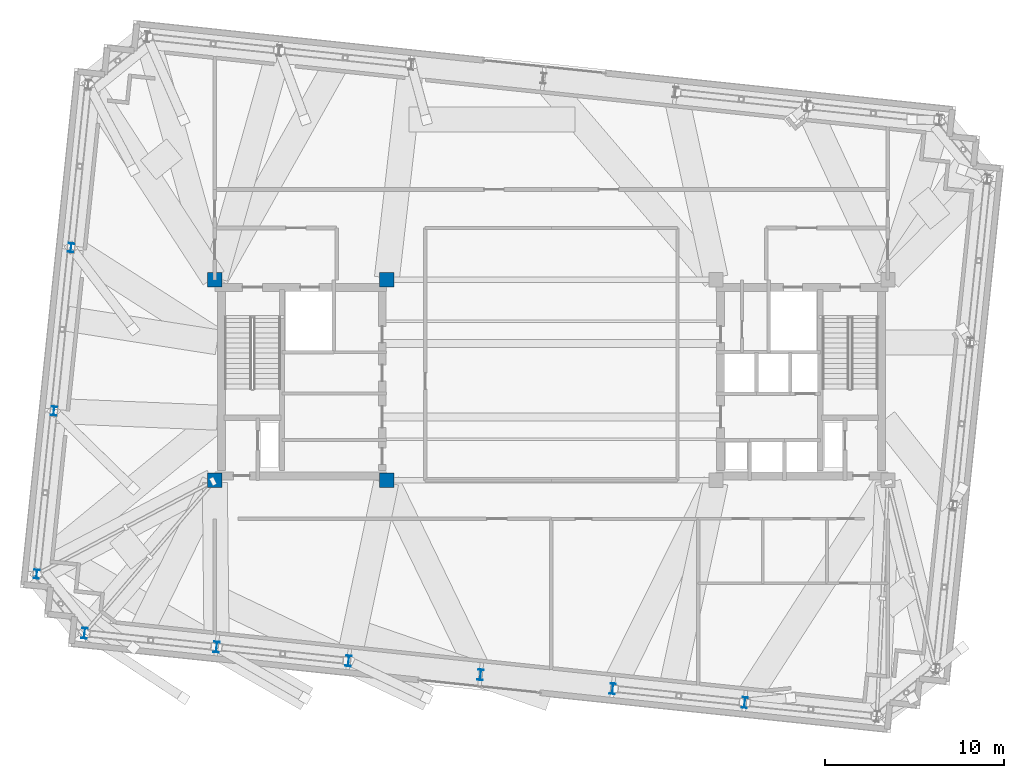
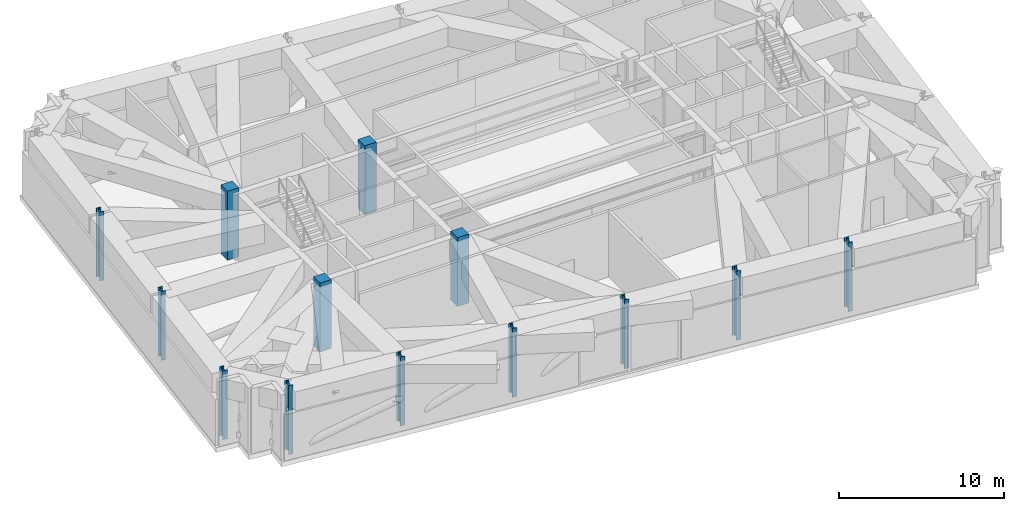
# One storey, part 1 of 21: 13 columns.
"""IFC4 building model written with IfcOpenShell, lengths in metres."""

from ifc_helpers import new_model, si_unit, direction, frame, origin, origin_2d, place, context, subcontext, project, spatial, rectangle, i_section, extrude, material, material_profile, profile_set, type_object, element, save


model = new_model("IFC4")

# Units and contexts
model_context = context("Model", 3, precision=1e-05, world=origin(), true_north=direction((0.0, 1.0)))
body_context = subcontext(model_context, "Body", "Model", "MODEL_VIEW")
ifc_project = project(units=[si_unit("LENGTHUNIT", "METRE"), si_unit("AREAUNIT", "SQUARE_METRE"), si_unit("VOLUMEUNIT", "CUBIC_METRE"), si_unit("PLANEANGLEUNIT", "RADIAN"), si_unit("MASSUNIT", "GRAM", prefix="KILO")], contexts=[model_context])

# Site, building, storey
site_placement = place(None, origin())
site = spatial("IfcSite", under=ifc_project, at=site_placement, CompositionType="ELEMENT")
building_placement = place(site_placement, origin())
building = spatial("IfcBuilding", under=site, at=building_placement, Name="Qobustan Lattice House", CompositionType="ELEMENT")
storey_placement = place(building_placement, frame((0.0, 0.0, 223.199951171875)))
storey = spatial("IfcBuildingStorey", under=building, at=storey_placement, Name="L63", CompositionType="ELEMENT", Elevation=223.199951171875)

# Columns
ifc_material_1 = material(Name="Concrete C50/60", Category="concrete")
ifc_material_profile_1 = material_profile(ifc_material_1, rectangle(XDim=0.800048828125, YDim=0.800048828125, at=origin_2d()), Name="RC800x800")
ifc_profile_set_1 = profile_set([ifc_material_profile_1], Name="Concrete C50/60")
column_type_1 = type_object("IfcColumnType", Name="COL-RC-800", PredefinedType="COLUMN", material=ifc_profile_set_1)
for number, where, z_axis, x_axis, name in (
    (1, (-18.800048828125, -5.60009765625, 0.0), (0.0, 0.0, 1.0), (1.0, 0.0, 0.0), "L63 core mega-column CW-SW"),
    (2, (-18.800048828125, 5.60009765625, 0.0), (0.0, 0.0, 1.0), (1.0, 0.0, 0.0), "L63 core mega-column CW-NW"),
    (3, (-9.199951171875, -5.60009765625, 0.0), (0.0, 0.0, 1.0), (1.0, 0.0, 0.0), "L63 core mega-column CW-SE"),
    (4, (-9.199951171875, 5.60009765625, 0.0), (0.0, 0.0, 1.0), (1.0, 0.0, 0.0), "L63 core mega-column CW-NE"),
):
    element("IfcColumn", number, at=place(storey_placement, frame(where, z_axis=z_axis, x_axis=x_axis)), inside=storey, type_object=column_type_1, Name=name, PredefinedType="COLUMN", context=body_context, shape_type="SweptSolid", body=[
        extrude(rectangle(XDim=0.800048828125, YDim=0.800048828125, at=origin_2d()), origin(), (0.0, 0.0, 1.0), 5.10009765625),
    ])
ifc_material_2 = material(Name="Steel S355", Category="steel")
ifc_material_profile_2 = material_profile(ifc_material_2, i_section(OverallWidth=0.300048828125, OverallDepth=0.5, WebThickness=0.014404296875, FlangeThickness=0.028076171875, FilletRadius=0.027099609375, at=origin_2d()), Name="HEB500")
ifc_profile_set_2 = profile_set([ifc_material_profile_2], Name="Steel S355")
column_type_2 = type_object("IfcColumnType", Name="COL-ST-HEB500", PredefinedType="COLUMN", material=ifc_profile_set_2)
for number, where, z_axis, x_axis, name in (
    (5, (-26.83251953125, 7.397705078125, 0.0), (0.0, 0.0, 1.0), (0.994521895368, -0.104528463268, 0.0), "L63 B4 perimeter column W2"),
    (6, (-27.790771484375, -1.718994140625, 0.0), (0.0, 0.0, 1.0), (0.994521895368, -0.104528463268, 0.0), "L63 B4 perimeter column W3"),
    (7, (-28.748779296875, -10.835205078125, 0.0), (0.0, 0.0, 1.0), (0.994521895368, -0.104528463268, 0.0), "L63 B4 perimeter column W4"),
):
    element("IfcColumn", number, at=place(storey_placement, frame(where, z_axis=z_axis, x_axis=x_axis)), inside=storey, type_object=column_type_2, Name=name, PredefinedType="COLUMN", context=body_context, shape_type="SweptSolid", body=[
        extrude(i_section(OverallWidth=0.300048828125, OverallDepth=0.5, WebThickness=0.014404296875, FlangeThickness=0.028076171875, FilletRadius=0.027099609375, at=origin_2d()), origin(), (0.0, 0.0, 1.0), 5.10009765625),
    ])
ifc_material_3 = material(Name="Steel S355", Category="steel")
ifc_material_profile_3 = material_profile(ifc_material_3, i_section(OverallWidth=0.300048828125, OverallDepth=0.60009765625, WebThickness=0.015380859375, FlangeThickness=0.030029296875, FilletRadius=0.027099609375, at=origin_2d()), Name="HEB600")
ifc_profile_set_3 = profile_set([ifc_material_profile_3], Name="Steel S355")
column_type_3 = type_object("IfcColumnType", Name="COL-ST-HEB600", PredefinedType="COLUMN", material=ifc_profile_set_3)
for number, where, z_axis, x_axis, name in (
    (8, (-26.0791015625, -14.132568359375, 0.0), (0.0, 0.0, 1.0), (0.994521895368, -0.104528463268, 0.0), "L63 B4 perimeter column S1"),
    (9, (-18.702880859375, -14.90771484375, 0.0), (0.0, 0.0, 1.0), (0.994521895368, -0.104528463268, 0.0), "L63 B4 perimeter column S2"),
    (10, (-11.326904296875, -15.68310546875, 0.0), (0.0, 0.0, 1.0), (0.994521895368, -0.104528463268, 0.0), "L63 B4 perimeter column S3"),
    (11, (-3.950927734375, -16.458251953125, 0.0), (0.0, 0.0, 1.0), (0.994521895368, -0.104528463268, 0.0), "L63 B4 perimeter column S4"),
    (12, (3.42529296875, -17.2333984375, 0.0), (0.0, 0.0, 1.0), (0.994521895368, -0.104528463268, 0.0), "L63 B4 perimeter column S5"),
    (13, (10.80126953125, -18.0087890625, 0.0), (0.0, 0.0, 1.0), (0.994521895368, -0.104528463268, 0.0), "L63 B4 perimeter column S6"),
):
    element("IfcColumn", number, at=place(storey_placement, frame(where, z_axis=z_axis, x_axis=x_axis)), inside=storey, type_object=column_type_3, Name=name, PredefinedType="COLUMN", context=body_context, shape_type="SweptSolid", body=[
        extrude(i_section(OverallWidth=0.300048828125, OverallDepth=0.60009765625, WebThickness=0.015380859375, FlangeThickness=0.030029296875, FilletRadius=0.027099609375, at=origin_2d()), origin(), (0.0, 0.0, 1.0), 5.10009765625),
    ])

save(model, "model.ifc")
